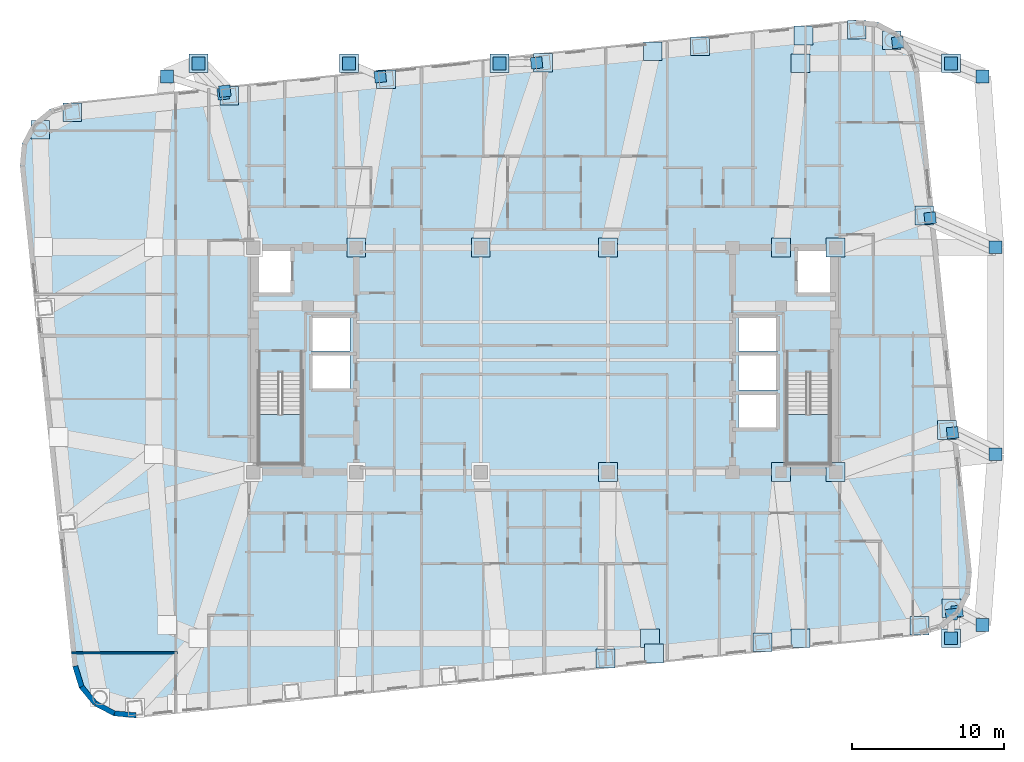
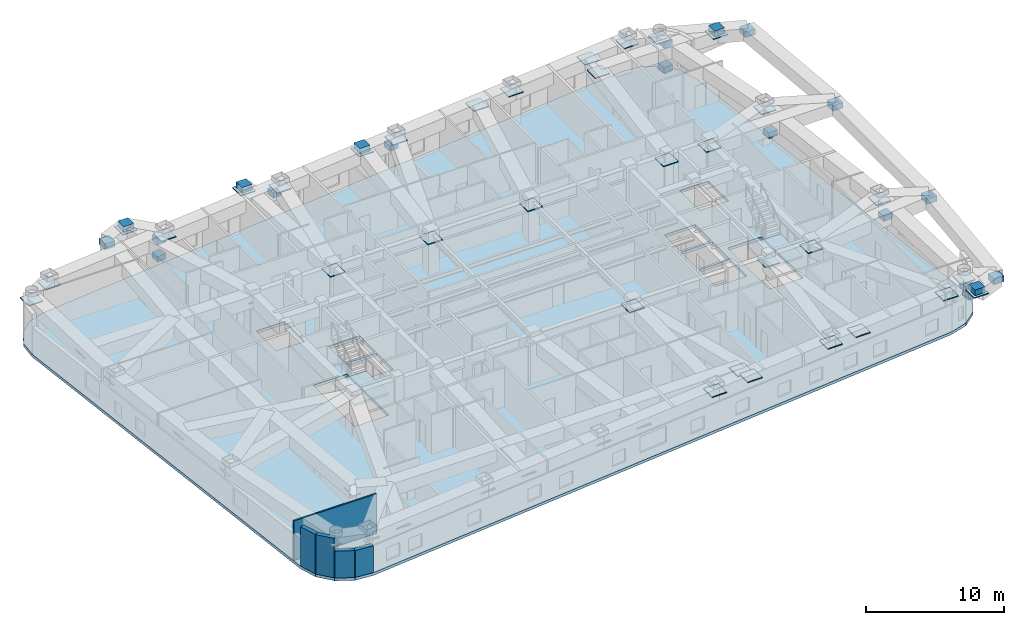
# One storey, part 3 of 13: 53 plates, 5 walls, 3 slabs, 2 elements without a shape of their own.
"""IFC4 building model written with IfcOpenShell, lengths in metres."""

from ifc_helpers import new_model, si_unit, direction, frame, frame_2d, origin, origin_2d, place, context, subcontext, project, spatial, polyline, rectangle, outline, extrude, material, layer, layer_set, type_object, element, aggregate, save


model = new_model("IFC4")

# Units and contexts
model_context = context("Model", 3, precision=1e-05, world=origin(), true_north=direction((0.0, 1.0)))
body_context = subcontext(model_context, "Body", "Model", "MODEL_VIEW")
ifc_project = project(units=[si_unit("LENGTHUNIT", "METRE"), si_unit("AREAUNIT", "SQUARE_METRE"), si_unit("VOLUMEUNIT", "CUBIC_METRE"), si_unit("PLANEANGLEUNIT", "RADIAN"), si_unit("MASSUNIT", "GRAM", prefix="KILO")], contexts=[model_context])

# Site, building, storey
site_placement = place(None, origin())
site = spatial("IfcSite", under=ifc_project, at=site_placement, CompositionType="ELEMENT")
building_placement = place(site_placement, origin())
building = spatial("IfcBuilding", under=site, at=building_placement, Name="Voryun Gate Residences", CompositionType="ELEMENT")
storey_placement = place(building_placement, frame((0.0, 0.0, 191.10009765625)))
storey = spatial("IfcBuildingStorey", under=building, at=storey_placement, Name="L47", CompositionType="ELEMENT", Elevation=191.10009765625)

# Plates
ifc_material_1 = material(Name="Steel SM355", Category="steel")
ifc_layer_1 = layer(ifc_material_1, 0.02490234375, Name="PLT_END_CAP_25")
ifc_layer_set_1 = layer_set([ifc_layer_1], Name="Steel SM355")
plate_type_1 = type_object("IfcPlateType", Name="PLT_END_CAP_25", PredefinedType="USERDEFINED", material=ifc_layer_set_1)
for number, where, z_axis, x_axis, name in (
    (1, (4.035888671875, -19.6982421875, 2.909912109375), (0.0, 0.0, 1.0), (1.0, 0.0, 0.0), "L47 Hollow Member End-Cap Plate EC-532"),
    (2, (14.37890625, -18.611083984375, 2.909912109375), (0.0, 0.0, 1.0), (1.0, 0.0, 0.0), "L47 Hollow Member End-Cap Plate EC-533"),
    (3, (24.721923828125, -17.524169921875, 2.909912109375), (0.0, 0.0, 1.0), (1.0, 0.0, 0.0), "L47 Hollow Member End-Cap Plate EC-534"),
    (4, (26.8408203125, -16.373779296875, 2.909912109375), (0.0, 0.0, 1.0), (1.0, 0.0, 0.0), "L47 Hollow Member End-Cap Plate EC-535"),
    (5, (26.533447265625, -4.6240234375, 2.909912109375), (0.0, 0.0, 1.0), (1.0, 0.0, 0.0), "L47 Hollow Member End-Cap Plate EC-536"),
    (6, (25.047119140625, 9.51806640625, 2.909912109375), (0.0, 0.0, 1.0), (1.0, 0.0, 0.0), "L47 Hollow Member End-Cap Plate EC-537"),
    (7, (22.90478515625, 21.07470703125, 2.909912109375), (0.0, 0.0, 1.0), (1.0, 0.0, 0.0), "L47 Hollow Member End-Cap Plate EC-538"),
    (8, (20.593017578125, 21.759521484375, 2.909912109375), (0.0, 0.0, 1.0), (1.0, 0.0, 0.0), "L47 Hollow Member End-Cap Plate EC-539"),
    (9, (10.25, 20.672607421875, 2.909912109375), (0.0, 0.0, 1.0), (1.0, 0.0, 0.0), "L47 Hollow Member End-Cap Plate EC-540"),
    (10, (-0.093017578125, 19.585205078125, 2.909912109375), (0.0, 0.0, 1.0), (1.0, 0.0, 0.0), "L47 Hollow Member End-Cap Plate EC-541"),
    (11, (-10.43603515625, 18.498291015625, 2.909912109375), (0.0, 0.0, 1.0), (1.0, 0.0, 0.0), "L47 Hollow Member End-Cap Plate EC-542"),
    (12, (-20.779052734375, 17.4111328125, 2.909912109375), (0.0, 0.0, 1.0), (1.0, 0.0, 0.0), "L47 Hollow Member End-Cap Plate EC-543"),
    (13, (-31.1220703125, 16.32421875, 2.909912109375), (0.0, 0.0, 1.0), (1.0, 0.0, 0.0), "L47 Hollow Member End-Cap Plate EC-544"),
    (14, (-33.24072265625, 15.173583984375, 2.909912109375), (0.0, 0.0, 1.0), (1.0, 0.0, 0.0), "L47 Hollow Member End-Cap Plate EC-545"),
    (15, (4.199951171875, -7.39990234375, 2.909912109375), (0.0, 0.0, 1.0), (1.0, 0.0, 0.0), "L47 Hollow Member End-Cap Plate EC-556"),
    (16, (7.215576171875, -19.364013671875, 2.909912109375), (0.0, 0.0, 1.0), (1.0, 0.0, 0.0), "L47 Hollow Member End-Cap Plate EC-557"),
    (17, (15.60009765625, -7.39990234375, 2.909912109375), (0.0, 0.0, 1.0), (1.0, 0.0, 0.0), "L47 Hollow Member End-Cap Plate EC-558"),
    (18, (16.8798828125, -18.348388671875, 2.909912109375), (0.0, 0.0, 1.0), (1.0, 0.0, 0.0), "L47 Hollow Member End-Cap Plate EC-559"),
    (19, (26.800048828125, -18.35009765625, 2.909912109375), (0.0, 0.0, 1.0), (1.0, 0.0, 0.0), "L47 Hollow Member End-Cap Plate EC-560"),
    (20, (19.199951171875, -7.39990234375, 2.909912109375), (0.0, 0.0, 1.0), (1.0, 0.0, 0.0), "L47 Hollow Member End-Cap Plate EC-561"),
    (21, (19.199951171875, 7.39990234375, 2.909912109375), (0.0, 0.0, 1.0), (1.0, 0.0, 0.0), "L47 Hollow Member End-Cap Plate EC-562"),
    (22, (15.60009765625, 7.39990234375, 2.909912109375), (0.0, 0.0, 1.0), (1.0, 0.0, 0.0), "L47 Hollow Member End-Cap Plate EC-563"),
    (23, (17.07373046875, 21.3896484375, 2.909912109375), (0.0, 0.0, 1.0), (1.0, 0.0, 0.0), "L47 Hollow Member End-Cap Plate EC-564"),
    (24, (4.199951171875, 7.39990234375, 2.909912109375), (0.0, 0.0, 1.0), (1.0, 0.0, 0.0), "L47 Hollow Member End-Cap Plate EC-565"),
    (25, (7.140625, 20.345703125, 2.909912109375), (0.0, 0.0, 1.0), (1.0, 0.0, 0.0), "L47 Hollow Member End-Cap Plate EC-566"),
    (26, (-4.199951171875, 7.39990234375, 2.909912109375), (0.0, 0.0, 1.0), (1.0, 0.0, 0.0), "L47 Hollow Member End-Cap Plate EC-567"),
    (27, (-2.9599609375, 19.550048828125, 2.909912109375), (0.0, 0.0, 1.0), (1.0, 0.0, 0.0), "L47 Hollow Member End-Cap Plate EC-568"),
    (28, (-12.39990234375, 7.39990234375, 2.909912109375), (0.0, 0.0, 1.0), (1.0, 0.0, 0.0), "L47 Hollow Member End-Cap Plate EC-569"),
    (29, (-12.8798828125, 19.550048828125, 2.909912109375), (0.0, 0.0, 1.0), (1.0, 0.0, 0.0), "L47 Hollow Member End-Cap Plate EC-570"),
    (30, (-22.800048828125, 19.550048828125, 2.909912109375), (0.0, 0.0, 1.0), (1.0, 0.0, 0.0), "L47 Hollow Member End-Cap Plate EC-572"),
    (31, (6.9599609375, -18.35009765625, 2.909912109375), (0.0, 0.0, 1.0), (1.0, 0.0, 0.0), "L47 Hollow Member End-Cap Plate EC-579"),
    (32, (26.800048828125, 19.550048828125, 2.909912109375), (0.0, 0.0, 1.0), (1.0, 0.0, 0.0), "L47 Hollow Member End-Cap Plate EC-580"),
    (33, (16.8798828125, 19.550048828125, 2.909912109375), (0.0, 0.0, 1.0), (1.0, 0.0, 0.0), "L47 Hollow Member End-Cap Plate EC-581"),
):
    element("IfcPlate", number, at=place(storey_placement, frame(where, z_axis=z_axis, x_axis=x_axis)), inside=storey, type_object=plate_type_1, Name=name, ObjectType="BASE_PLATE", PredefinedType="USERDEFINED", context=body_context, shape_type="SweptSolid", body=[
        extrude(rectangle(XDim=1.239990234375, YDim=1.239990234375, at=origin_2d()), origin(), (0.0, 0.0, 1.0), 0.080078125),
    ])
ifc_material_2 = material(Name="Steel SM420", Category="steel")
ifc_layer_2 = layer(ifc_material_2, 0.031982421875, Name="PLT_SPLICE_PLATE_32")
ifc_layer_set_2 = layer_set([ifc_layer_2], Name="Steel SM420")
plate_type_2 = type_object("IfcPlateType", Name="PLT_SPLICE_PLATE_32", PredefinedType="USERDEFINED", material=ifc_layer_set_2)
plate_1_placement = place(storey_placement, frame((26.83203125, -16.793701171875, 2.309814453125), z_axis=(0.0, 0.0, 1.0), x_axis=(0.994521895368, 0.104528463268, 0.0)))
element("IfcPlate", 34, at=plate_1_placement, inside=storey, type_object=plate_type_2, Name="L47 Cantilever Strut Base Gusset BS-S6", ObjectType="SPLICE_PLATE", PredefinedType="USERDEFINED", context=body_context, shape_type="SweptSolid", body=[
    extrude(rectangle(XDim=0.75, YDim=0.75, at=origin_2d()), origin(), (0.0, 0.0, 1.0), 0.5),
])
plate_2_placement = place(storey_placement, frame((26.800048828125, -18.35009765625, 3.0), z_axis=(0.0, 0.0, 1.0), x_axis=(1.0, 0.0, 0.0)))
element("IfcPlate", 35, at=plate_2_placement, inside=storey, type_object=plate_type_2, Name="L47 Transfer Kink Splice Plate KN-S6", ObjectType="SPLICE_PLATE", PredefinedType="USERDEFINED", context=body_context, shape_type="SweptSolid", body=[
    extrude(rectangle(XDim=0.85009765625, YDim=0.85009765625, at=origin_2d()), origin(), (0.0, 0.0, 1.0), 0.5),
])
plate_3_placement = place(storey_placement, frame((27.209716796875, -16.574462890625, 1.349853515625), z_axis=(0.0, 0.0, 1.0), x_axis=(0.994521895368, 0.104528463268, 0.0)))
element("IfcPlate", 36, at=plate_3_placement, inside=storey, type_object=plate_type_2, Name="L47 Cantilever Strut Base Gusset BS-CSE", ObjectType="SPLICE_PLATE", PredefinedType="USERDEFINED", context=body_context, shape_type="SweptSolid", body=[
    extrude(rectangle(XDim=0.75, YDim=0.75, at=origin_2d()), origin(), (0.0, 0.0, 1.0), 0.5),
])
plate_4_placement = place(storey_placement, frame((28.885986328125, -17.486083984375, 2.699951171875), z_axis=(0.0, 0.0, 1.0), x_axis=(1.0, 0.0, 0.0)))
element("IfcPlate", 37, at=plate_4_placement, inside=storey, type_object=plate_type_2, Name="L47 Transfer Kink Splice Plate KN-CSE", ObjectType="SPLICE_PLATE", PredefinedType="USERDEFINED", context=body_context, shape_type="SweptSolid", body=[
    extrude(rectangle(XDim=0.85009765625, YDim=0.85009765625, at=origin_2d()), origin(), (0.0, 0.0, 1.0), 0.5),
])
plate_5_placement = place(storey_placement, frame((26.90966796875, -4.810791015625, 1.272705078125), z_axis=(0.0, 0.0, 1.0), x_axis=(0.994521895368, 0.104528463268, 0.0)))
element("IfcPlate", 38, at=plate_5_placement, inside=storey, type_object=plate_type_2, Name="L47 Cantilever Strut Base Gusset BS-E1", ObjectType="SPLICE_PLATE", PredefinedType="USERDEFINED", context=body_context, shape_type="SweptSolid", body=[
    extrude(rectangle(XDim=0.75, YDim=0.75, at=origin_2d()), origin(), (0.0, 0.0, 1.0), 0.5),
])
plate_6_placement = place(storey_placement, frame((29.75, -6.221923828125, 2.699951171875), z_axis=(0.0, 0.0, 1.0), x_axis=(1.0, 0.0, 0.0)))
element("IfcPlate", 39, at=plate_6_placement, inside=storey, type_object=plate_type_2, Name="L47 Transfer Kink Splice Plate KN-E1", ObjectType="SPLICE_PLATE", PredefinedType="USERDEFINED", context=body_context, shape_type="SweptSolid", body=[
    extrude(rectangle(XDim=0.85009765625, YDim=0.85009765625, at=origin_2d()), origin(), (0.0, 0.0, 1.0), 0.5),
])
plate_7_placement = place(storey_placement, frame((25.4306640625, 9.34716796875, 0.572021484375), z_axis=(0.0, 0.0, 1.0), x_axis=(0.994521895368, 0.104528463268, 0.0)))
element("IfcPlate", 40, at=plate_7_placement, inside=storey, type_object=plate_type_2, Name="L47 Cantilever Strut Base Gusset BS-E2", ObjectType="SPLICE_PLATE", PredefinedType="USERDEFINED", context=body_context, shape_type="SweptSolid", body=[
    extrude(rectangle(XDim=0.75, YDim=0.75, at=origin_2d()), origin(), (0.0, 0.0, 1.0), 0.5),
])
plate_8_placement = place(storey_placement, frame((29.75, 7.422119140625, 2.699951171875), z_axis=(0.0, 0.0, 1.0), x_axis=(1.0, 0.0, 0.0)))
element("IfcPlate", 41, at=plate_8_placement, inside=storey, type_object=plate_type_2, Name="L47 Transfer Kink Splice Plate KN-E2", ObjectType="SPLICE_PLATE", PredefinedType="USERDEFINED", context=body_context, shape_type="SweptSolid", body=[
    extrude(rectangle(XDim=0.85009765625, YDim=0.85009765625, at=origin_2d()), origin(), (0.0, 0.0, 1.0), 0.5),
])
plate_9_placement = place(storey_placement, frame((23.294921875, 20.9189453125, 0.099853515625), z_axis=(0.0, 0.0, 1.0), x_axis=(0.994521895368, 0.104528463268, 0.0)))
element("IfcPlate", 42, at=plate_9_placement, inside=storey, type_object=plate_type_2, Name="L47 Cantilever Strut Base Gusset BS-CNE", ObjectType="SPLICE_PLATE", PredefinedType="USERDEFINED", context=body_context, shape_type="SweptSolid", body=[
    extrude(rectangle(XDim=0.75, YDim=0.75, at=origin_2d()), origin(), (0.0, 0.0, 1.0), 0.5),
])
plate_10_placement = place(storey_placement, frame((28.885986328125, 18.68603515625, 2.699951171875), z_axis=(0.0, 0.0, 1.0), x_axis=(1.0, 0.0, 0.0)))
element("IfcPlate", 43, at=plate_10_placement, inside=storey, type_object=plate_type_2, Name="L47 Transfer Kink Splice Plate KN-CNE", ObjectType="SPLICE_PLATE", PredefinedType="USERDEFINED", context=body_context, shape_type="SweptSolid", body=[
    extrude(rectangle(XDim=0.85009765625, YDim=0.85009765625, at=origin_2d()), origin(), (0.0, 0.0, 1.0), 0.5),
])
plate_11_placement = place(storey_placement, frame((23.2958984375, 20.921630859375, 2.309814453125), z_axis=(0.0, 0.0, 1.0), x_axis=(0.994521895368, 0.104528463268, 0.0)))
element("IfcPlate", 44, at=plate_11_placement, inside=storey, type_object=plate_type_2, Name="L47 Cantilever Strut Base Gusset BS-N1", ObjectType="SPLICE_PLATE", PredefinedType="USERDEFINED", context=body_context, shape_type="SweptSolid", body=[
    extrude(rectangle(XDim=0.75, YDim=0.75, at=origin_2d()), origin(), (0.0, 0.0, 1.0), 0.5),
])
plate_12_placement = place(storey_placement, frame((26.800048828125, 19.550048828125, 3.0), z_axis=(0.0, 0.0, 1.0), x_axis=(1.0, 0.0, 0.0)))
element("IfcPlate", 45, at=plate_12_placement, inside=storey, type_object=plate_type_2, Name="L47 Transfer Kink Splice Plate KN-N1", ObjectType="SPLICE_PLATE", PredefinedType="USERDEFINED", context=body_context, shape_type="SweptSolid", body=[
    extrude(rectangle(XDim=0.85009765625, YDim=0.85009765625, at=origin_2d()), origin(), (0.0, 0.0, 1.0), 0.5),
])
plate_13_placement = place(storey_placement, frame((-0.512939453125, 19.580078125, 2.309814453125), z_axis=(0.0, 0.0, 1.0), x_axis=(0.994521895368, 0.104528463268, 0.0)))
element("IfcPlate", 46, at=plate_13_placement, inside=storey, type_object=plate_type_2, Name="L47 Cantilever Strut Base Gusset BS-N4", ObjectType="SPLICE_PLATE", PredefinedType="USERDEFINED", context=body_context, shape_type="SweptSolid", body=[
    extrude(rectangle(XDim=0.75, YDim=0.75, at=origin_2d()), origin(), (0.0, 0.0, 1.0), 0.5),
])
plate_14_placement = place(storey_placement, frame((-2.9599609375, 19.550048828125, 3.0), z_axis=(0.0, 0.0, 1.0), x_axis=(1.0, 0.0, 0.0)))
element("IfcPlate", 47, at=plate_14_placement, inside=storey, type_object=plate_type_2, Name="L47 Transfer Kink Splice Plate KN-N4", ObjectType="SPLICE_PLATE", PredefinedType="USERDEFINED", context=body_context, shape_type="SweptSolid", body=[
    extrude(rectangle(XDim=0.85009765625, YDim=0.85009765625, at=origin_2d()), origin(), (0.0, 0.0, 1.0), 0.5),
])
plate_15_placement = place(storey_placement, frame((-10.82177734375, 18.664306640625, 2.309814453125), z_axis=(0.0, 0.0, 1.0), x_axis=(0.994521895368, 0.104528463268, 0.0)))
element("IfcPlate", 48, at=plate_15_placement, inside=storey, type_object=plate_type_2, Name="L47 Cantilever Strut Base Gusset BS-N5", ObjectType="SPLICE_PLATE", PredefinedType="USERDEFINED", context=body_context, shape_type="SweptSolid", body=[
    extrude(rectangle(XDim=0.75, YDim=0.75, at=origin_2d()), origin(), (0.0, 0.0, 1.0), 0.5),
])
plate_16_placement = place(storey_placement, frame((-12.8798828125, 19.550048828125, 3.0), z_axis=(0.0, 0.0, 1.0), x_axis=(1.0, 0.0, 0.0)))
element("IfcPlate", 49, at=plate_16_placement, inside=storey, type_object=plate_type_2, Name="L47 Transfer Kink Splice Plate KN-N5", ObjectType="SPLICE_PLATE", PredefinedType="USERDEFINED", context=body_context, shape_type="SweptSolid", body=[
    extrude(rectangle(XDim=0.85009765625, YDim=0.85009765625, at=origin_2d()), origin(), (0.0, 0.0, 1.0), 0.5),
])
plate_17_placement = place(storey_placement, frame((-21.0673828125, 17.71630859375, 2.309814453125), z_axis=(0.0, 0.0, 1.0), x_axis=(0.994521895368, 0.104528463268, 0.0)))
element("IfcPlate", 50, at=plate_17_placement, inside=storey, type_object=plate_type_2, Name="L47 Cantilever Strut Base Gusset BS-N6", ObjectType="SPLICE_PLATE", PredefinedType="USERDEFINED", context=body_context, shape_type="SweptSolid", body=[
    extrude(rectangle(XDim=0.75, YDim=0.75, at=origin_2d()), origin(), (0.0, 0.0, 1.0), 0.5),
])
plate_18_placement = place(storey_placement, frame((-22.800048828125, 19.550048828125, 3.0), z_axis=(0.0, 0.0, 1.0), x_axis=(1.0, 0.0, 0.0)))
element("IfcPlate", 51, at=plate_18_placement, inside=storey, type_object=plate_type_2, Name="L47 Transfer Kink Splice Plate KN-N6", ObjectType="SPLICE_PLATE", PredefinedType="USERDEFINED", context=body_context, shape_type="SweptSolid", body=[
    extrude(rectangle(XDim=0.85009765625, YDim=0.85009765625, at=origin_2d()), origin(), (0.0, 0.0, 1.0), 0.5),
])
plate_19_placement = place(storey_placement, frame((-21.18017578125, 17.53564453125, 0.953857421875), z_axis=(0.0, 0.0, 1.0), x_axis=(0.994521895368, 0.104528463268, 0.0)))
element("IfcPlate", 52, at=plate_19_placement, inside=storey, type_object=plate_type_2, Name="L47 Cantilever Strut Base Gusset BS-CNW", ObjectType="SPLICE_PLATE", PredefinedType="USERDEFINED", context=body_context, shape_type="SweptSolid", body=[
    extrude(rectangle(XDim=0.75, YDim=0.75, at=origin_2d()), origin(), (0.0, 0.0, 1.0), 0.5),
])
plate_20_placement = place(storey_placement, frame((-24.885986328125, 18.68603515625, 2.699951171875), z_axis=(0.0, 0.0, 1.0), x_axis=(1.0, 0.0, 0.0)))
element("IfcPlate", 53, at=plate_20_placement, inside=storey, type_object=plate_type_2, Name="L47 Transfer Kink Splice Plate KN-CNW", ObjectType="SPLICE_PLATE", PredefinedType="USERDEFINED", context=body_context, shape_type="SweptSolid", body=[
    extrude(rectangle(XDim=0.85009765625, YDim=0.85009765625, at=origin_2d()), origin(), (0.0, 0.0, 1.0), 0.5),
])

# Slab
ifc_material_3 = material(Name="Concrete C40/50", Category="concrete")
ifc_layer_3 = layer(ifc_material_3, 0.25, Name="SLB_RES_250")
ifc_layer_set_3 = layer_set([ifc_layer_3], Name="Concrete C40/50")
slab_type_1 = type_object("IfcSlabType", Name="SLB_RES_250", PredefinedType="FLOOR", material=ifc_layer_set_3)
slab_1_placement = place(storey_placement, frame((0.0, 0.0, -0.25)))
element("IfcSlab", 54, at=slab_1_placement, inside=storey, type_object=slab_type_1, Name="L47 Structural Floor Slab", PredefinedType="FLOOR", context=body_context, shape_type="SweptSolid", body=[
    extrude(outline(polyline([(-26.92529296875, -23.60595703125), (-28.401611328125, -23.47021484375), (-29.7138671875, -22.780029296875), (-30.661865234375, -21.639892578125), (-31.1015625, -20.22412109375), (-34.572021484375, 12.794189453125), (-34.436279296875, 14.2705078125), (-33.745849609375, 15.582763671875), (-32.60595703125, 16.53076171875), (-31.18994140625, 16.970458984375), (20.525146484375, 22.406005859375), (22.001708984375, 22.270263671875), (23.313720703125, 21.580078125), (24.261962890625, 20.43994140625), (24.70166015625, 19.02392578125), (28.171875, -13.994140625), (28.036376953125, -15.470458984375), (27.345947265625, -16.78271484375), (26.2060546875, -17.730712890625), (24.7900390625, -18.17041015625), (-26.92529296875, -23.60595703125)]), holes=[polyline([(-15.97509765625, -6.85009765625), (-15.97509765625, -0.840087890625), (-18.824951171875, -0.840087890625), (-18.824951171875, -6.85009765625), (-15.97509765625, -6.85009765625)]), polyline([(18.824951171875, -6.85009765625), (18.824951171875, -0.840087890625), (15.97509765625, -0.840087890625), (15.97509765625, -6.85009765625), (18.824951171875, -6.85009765625)]), polyline([(15.39990234375, -2.199951171875), (12.800048828125, -2.199951171875), (12.800048828125, -4.60009765625), (15.39990234375, -4.60009765625), (15.39990234375, -2.199951171875)]), polyline([(-12.800048828125, 0.39990234375), (-15.39990234375, 0.39990234375), (-15.39990234375, -2.0), (-12.800048828125, -2.0), (-12.800048828125, 0.39990234375)]), polyline([(15.39990234375, 0.39990234375), (12.800048828125, 0.39990234375), (12.800048828125, -2.0), (15.39990234375, -2.0), (15.39990234375, 0.39990234375)]), polyline([(-12.800048828125, 2.89990234375), (-15.39990234375, 2.89990234375), (-15.39990234375, 0.60009765625), (-12.800048828125, 0.60009765625), (-12.800048828125, 2.89990234375)]), polyline([(15.39990234375, 2.89990234375), (12.800048828125, 2.89990234375), (12.800048828125, 0.60009765625), (15.39990234375, 0.60009765625), (15.39990234375, 2.89990234375)]), polyline([(-16.60009765625, 4.300048828125), (-16.60009765625, 7.199951171875), (-19.0, 7.199951171875), (-19.0, 4.300048828125), (-16.60009765625, 4.300048828125)]), polyline([(19.0, 4.300048828125), (19.0, 7.199951171875), (16.60009765625, 7.199951171875), (16.60009765625, 4.300048828125), (19.0, 4.300048828125)])]), origin(), (0.0, 0.0, 1.0), 0.25),
])

# Stair, slab
ifc_material_4 = material(Name="Concrete C40/50", Category="concrete")
stair_type = type_object("IfcStairType", Name="STR_CORE_DOGLEG_1350", PredefinedType="HALF_TURN_STAIR", material=ifc_material_4)
stair_1_placement = place(storey_placement, origin())
stair_1 = element("IfcStair", 55, at=stair_1_placement, inside=storey, type_object=stair_type, Name="L47 Special Escape Stair ST-W1", PredefinedType="HALF_TURN_STAIR")
ifc_material_5 = material(Name="Concrete C40/50", Category="concrete")
ifc_layer_4 = layer(ifc_material_5, 0.199951171875, Name="SLB_STAIR_LANDING_200")
ifc_layer_set_4 = layer_set([ifc_layer_4], Name="Concrete C40/50")
slab_type_2 = type_object("IfcSlabType", Name="SLB_STAIR_LANDING_200", PredefinedType="LANDING", material=ifc_layer_set_4)
slab_2_placement = place(storey_placement, frame((0.0, 0.0, 1.75)))
slab_2 = element("IfcSlab", 56, at=slab_2_placement, type_object=slab_type_2, Name="ST-W1 landing 1", PredefinedType="LANDING", context=body_context, shape_type="SweptSolid", body=[
    extrude(outline(polyline([(-18.824951171875, -3.60009765625), (-18.824951171875, -6.85009765625), (-15.97509765625, -6.85009765625), (-15.97509765625, -3.60009765625), (-18.824951171875, -3.60009765625)])), origin(), (0.0, 0.0, 1.0), 0.199951171875),
])
aggregate(stair_1, [slab_2])

stair_2_placement = place(storey_placement, origin())
stair_2 = element("IfcStair", 57, at=stair_2_placement, inside=storey, type_object=stair_type, Name="L47 Special Escape Stair ST-E1", PredefinedType="HALF_TURN_STAIR")
slab_3_placement = place(storey_placement, frame((0.0, 0.0, 1.75)))
slab_3 = element("IfcSlab", 58, at=slab_3_placement, type_object=slab_type_2, Name="ST-E1 landing 1", PredefinedType="LANDING", context=body_context, shape_type="SweptSolid", body=[
    extrude(outline(polyline([(15.97509765625, -3.60009765625), (15.97509765625, -6.85009765625), (18.824951171875, -6.85009765625), (18.824951171875, -3.60009765625), (15.97509765625, -3.60009765625)])), origin(), (0.0, 0.0, 1.0), 0.199951171875),
])
aggregate(stair_2, [slab_3])

# Walls
ifc_material_6 = material(Name="Charcoal terracotta masonry", Category="masonry")
ifc_layer_5 = layer(ifc_material_6, 0.340087890625, Name="W_EXT_TERRACOTTA_340")
ifc_layer_set_5 = layer_set([ifc_layer_5], Name="Charcoal terracotta masonry")
wall_type_1 = type_object("IfcWallType", Name="W_EXT_TERRACOTTA_340", PredefinedType="ELEMENTEDWALL", material=ifc_layer_set_5)
wall_1_placement = place(storey_placement, frame((-26.92626953125, -23.435302734375, 0.0), z_axis=(0.0, 0.0, 1.0), x_axis=(-0.995800460351, 0.091550222087, 0.0)))
element("IfcWall", 59, at=wall_1_placement, inside=storey, type_object=wall_type_1, Name="Exterior wall WEXT-L47-02", PredefinedType="ELEMENTEDWALL", context=body_context, shape_type="SweptSolid", body=[
    extrude(rectangle(XDim=1.43212890625, YDim=0.340087890625, at=frame_2d((0.716064453125, 0.0))), origin(), (0.0, 0.0, 1.0), 2.389892578125),
])
wall_2_placement = place(storey_placement, frame((-28.352294921875, -23.30419921875, 0.0), z_axis=(0.0, 0.0, 1.0), x_axis=(-0.884989312682, 0.465611336243, 0.0)))
element("IfcWall", 60, at=wall_2_placement, inside=storey, type_object=wall_type_1, Name="Exterior wall WEXT-L47-03", PredefinedType="ELEMENTEDWALL", context=body_context, shape_type="SweptSolid", body=[
    extrude(rectangle(XDim=1.415283203125, YDim=0.340087890625, at=frame_2d((0.70751953125, 0.0))), origin(), (0.0, 0.0, 1.0), 2.389892578125),
])
wall_3_placement = place(storey_placement, frame((-29.604736328125, -22.645263671875, 0.0), z_axis=(0.0, 0.0, 1.0), x_axis=(-0.639437361921, 0.768843196093, 0.0)))
element("IfcWall", 61, at=wall_3_placement, inside=storey, type_object=wall_type_1, Name="Exterior wall WEXT-L47-04", PredefinedType="ELEMENTEDWALL", context=body_context, shape_type="SweptSolid", body=[
    extrude(rectangle(XDim=1.4150390625, YDim=0.340087890625, at=frame_2d((0.70751953125, 0.0))), origin(), (0.0, 0.0, 1.0), 3.5),
])
wall_4_placement = place(storey_placement, frame((-30.509521484375, -21.557373046875, 0.0), z_axis=(0.0, 0.0, 1.0), x_axis=(-0.296624409546, 0.9549942197, 0.0)))
element("IfcWall", 62, at=wall_4_placement, inside=storey, type_object=wall_type_1, Name="Exterior wall WEXT-L47-05", PredefinedType="ELEMENTEDWALL", context=body_context, shape_type="SweptSolid", body=[
    extrude(rectangle(XDim=1.43212890625, YDim=0.340087890625, at=frame_2d((0.716064453125, 0.0))), origin(), (0.0, 0.0, 1.0), 3.5),
])
ifc_material_7 = material(Name="Gypsum acoustic partition")
ifc_layer_6 = layer(ifc_material_7, 0.125, Name="W_UNIT_PART_125")
ifc_layer_set_6 = layer_set([ifc_layer_6], Name="Gypsum acoustic partition")
wall_type_2 = type_object("IfcWallType", Name="W_UNIT_PART_125", PredefinedType="PARTITIONING", material=ifc_layer_set_6)
wall_5_placement = place(storey_placement, frame((-31.176513671875, -19.320068359375, 0.0), z_axis=(0.0, 0.0, 1.0), x_axis=(1.0, 0.0, 0.0)))
element("IfcWall", 63, at=wall_5_placement, inside=storey, type_object=wall_type_2, Name="Partition wall WP-L47-W1-OH1", PredefinedType="PARTITIONING", context=body_context, shape_type="SweptSolid", body=[
    extrude(rectangle(XDim=6.95654296875, YDim=0.125, at=frame_2d((3.478271484375, 0.0))), origin(), (0.0, 0.0, 1.0), 3.5),
])

save(model, "model.ifc")
